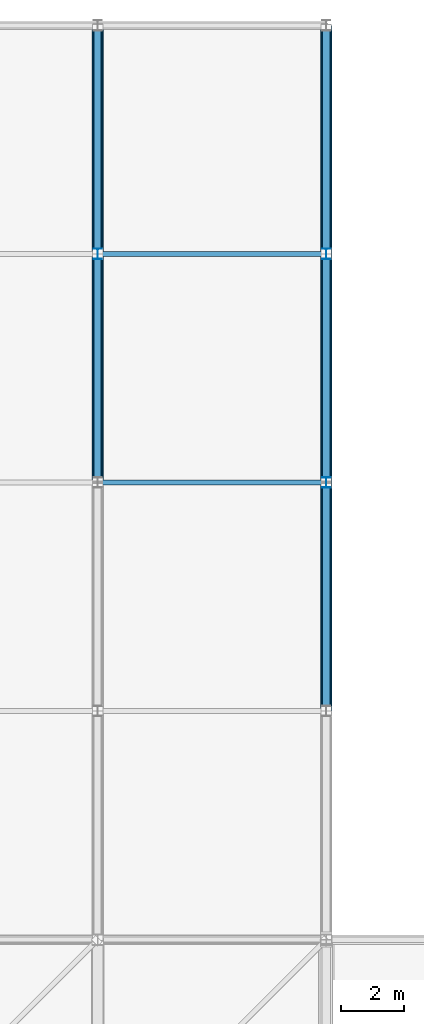
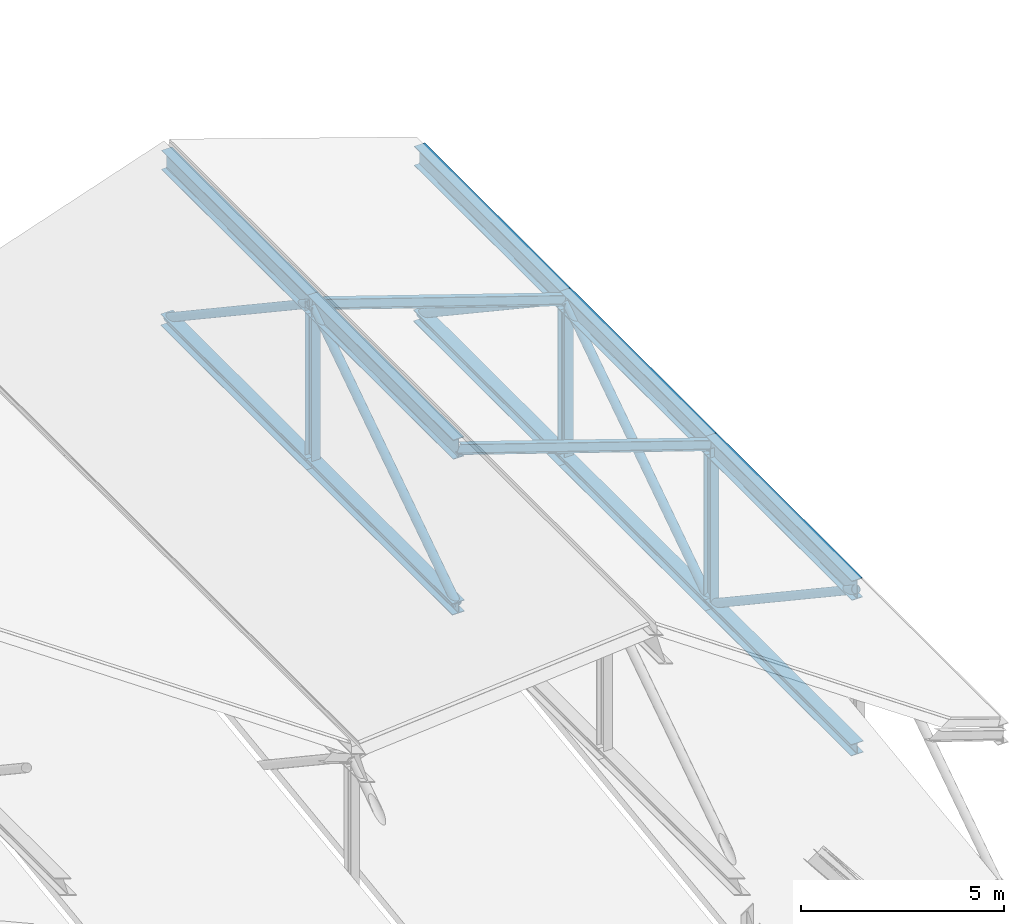
# One storey, part 29 of 60: 20 members.
"""IFC4 building model written with IfcOpenShell, lengths in metres."""

from ifc_helpers import new_model, si_unit, direction, frame, origin, origin_2d, place, context, subcontext, project, spatial, hollow_circle, i_section, extrude, material, material_profile, profile_set, type_object, element, save


model = new_model("IFC4")

# Units and contexts
model_context = context("Model", 3, precision=1e-05, world=origin(), true_north=direction((0.0, 1.0)))
body_context = subcontext(model_context, "Body", "Model", "MODEL_VIEW")
ifc_project = project(units=[si_unit("LENGTHUNIT", "METRE"), si_unit("AREAUNIT", "SQUARE_METRE"), si_unit("VOLUMEUNIT", "CUBIC_METRE"), si_unit("PLANEANGLEUNIT", "RADIAN"), si_unit("MASSUNIT", "GRAM", prefix="KILO")], contexts=[model_context])

# Site, building, storey
site_placement = place(None, origin())
site = spatial("IfcSite", under=ifc_project, at=site_placement, CompositionType="ELEMENT")
building_placement = place(site_placement, origin())
building = spatial("IfcBuilding", under=site, at=building_placement, Name="Vesperath Aquatics Centre", CompositionType="ELEMENT")
storey_placement = place(building_placement, frame((0.0, 0.0, 27.60009765625)))
storey = spatial("IfcBuildingStorey", under=building, at=storey_placement, Name="RF", CompositionType="ELEMENT", Elevation=27.60009765625)

# Members
ifc_material_1 = material(Name="Steel Q355D", Category="steel")
ifc_material_profile_1 = material_profile(ifc_material_1, i_section(OverallWidth=0.35009765625, OverallDepth=0.35009765625, WebThickness=0.011962890625, FlangeThickness=0.01904296875, FilletRadius=0.02001953125, at=origin_2d()), Name="HW 350x350x12x19")
ifc_profile_set_1 = profile_set([ifc_material_profile_1], Name="Steel Q355D")
member_type_1 = type_object("IfcMemberType", Name="MB-BC02", PredefinedType="CHORD", material=ifc_profile_set_1)
for number, where, z_axis, x_axis, name in (
    (1, (50.39990234375, 100.800048828125, -3.60009765625), (0.0, 1.0, 0.0), (-1.0, 0.0, 0.0), "Diving ROOF TRUSS Bottom Chord BC02 G8-3"),
    (2, (50.39990234375, 108.0, -3.60009765625), (0.0, 1.0, 0.0), (-1.0, 0.0, 0.0), "Diving ROOF TRUSS Bottom Chord BC02 G8-4"),
    (3, (57.60009765625, 93.60009765625, -6.0), (0.0, 1.0, 0.0), (-1.0, 0.0, 0.0), "Diving ROOF TRUSS Bottom Chord BC02 G9-2"),
    (4, (57.60009765625, 100.800048828125, -6.0), (0.0, 1.0, 0.0), (-1.0, 0.0, 0.0), "Diving ROOF TRUSS Bottom Chord BC02 G9-3"),
    (5, (57.60009765625, 108.0, -6.0), (0.0, 1.0, 0.0), (-1.0, 0.0, 0.0), "Diving ROOF TRUSS Bottom Chord BC02 G9-4"),
):
    element("IfcMember", number, at=place(storey_placement, frame(where, z_axis=z_axis, x_axis=x_axis)), inside=storey, type_object=member_type_1, Name=name, PredefinedType="CHORD", context=body_context, shape_type="SweptSolid", body=[
        extrude(i_section(OverallWidth=0.35009765625, OverallDepth=0.35009765625, WebThickness=0.011962890625, FlangeThickness=0.01904296875, FilletRadius=0.02001953125, at=origin_2d()), origin(), (0.0, 0.0, 1.0), 7.199951171875),
    ])
ifc_material_2 = material(Name="Steel Q355C", Category="steel")
ifc_material_profile_2 = material_profile(ifc_material_2, i_section(OverallWidth=0.14990234375, OverallDepth=0.300048828125, WebThickness=0.006591796875, FlangeThickness=0.009033203125, FilletRadius=0.012939453125, at=origin_2d()), Name="HN 300x150x6.5x9")
ifc_profile_set_2 = profile_set([ifc_material_profile_2], Name="Steel Q355C")
member_type_2 = type_object("IfcMemberType", Name="MB-PR02", PredefinedType="PURLIN", material=ifc_profile_set_2)
for number, where, z_axis, x_axis, name in (
    (6, (50.39990234375, 100.800048828125, 1.199951171875), (0.948680081264, 0.0, -0.316237416212), (0.0, 1.0, 0.0), "Diving Roof Purlin PR02 8-3"),
    (7, (50.39990234375, 108.0, 1.199951171875), (0.948680081264, 0.0, -0.316237416212), (0.0, 1.0, 0.0), "Diving Roof Purlin PR02 8-4"),
):
    element("IfcMember", number, at=place(storey_placement, frame(where, z_axis=z_axis, x_axis=x_axis)), inside=storey, type_object=member_type_2, Name=name, PredefinedType="PURLIN", context=body_context, shape_type="SweptSolid", body=[
        extrude(i_section(OverallWidth=0.14990234375, OverallDepth=0.300048828125, WebThickness=0.006591796875, FlangeThickness=0.009033203125, FilletRadius=0.012939453125, at=origin_2d()), origin(), (0.0, 0.0, 1.0), 7.589599609375),
    ])
ifc_material_profile_3 = material_profile(ifc_material_1, i_section(OverallWidth=0.300048828125, OverallDepth=0.587890625, WebThickness=0.011962890625, FlangeThickness=0.02001953125, FilletRadius=0.028076171875, at=origin_2d()), Name="HM 588x300x12x20")
ifc_profile_set_3 = profile_set([ifc_material_profile_3], Name="Steel Q355D")
member_type_3 = type_object("IfcMemberType", Name="MB-TC03", PredefinedType="CHORD", material=ifc_profile_set_3)
for number, where, z_axis, x_axis, name in (
    (8, (50.39990234375, 100.800048828125, 1.199951171875), (0.0, 1.0, 0.0), (-1.0, 0.0, 0.0), "Diving ROOF TRUSS Top Chord TC03 G8-3"),
    (9, (50.39990234375, 108.0, 1.199951171875), (0.0, 1.0, 0.0), (-1.0, 0.0, 0.0), "Diving ROOF TRUSS Top Chord TC03 G8-4"),
    (10, (57.60009765625, 93.60009765625, -1.2001953125), (0.0, 1.0, 0.0), (-1.0, 0.0, 0.0), "Diving ROOF TRUSS Top Chord TC03 G9-2"),
    (11, (57.60009765625, 100.800048828125, -1.2001953125), (0.0, 1.0, 0.0), (-1.0, 0.0, 0.0), "Diving ROOF TRUSS Top Chord TC03 G9-3"),
    (12, (57.60009765625, 108.0, -1.2001953125), (0.0, 1.0, 0.0), (-1.0, 0.0, 0.0), "Diving ROOF TRUSS Top Chord TC03 G9-4"),
):
    element("IfcMember", number, at=place(storey_placement, frame(where, z_axis=z_axis, x_axis=x_axis)), inside=storey, type_object=member_type_3, Name=name, PredefinedType="CHORD", context=body_context, shape_type="SweptSolid", body=[
        extrude(i_section(OverallWidth=0.300048828125, OverallDepth=0.587890625, WebThickness=0.011962890625, FlangeThickness=0.02001953125, FilletRadius=0.028076171875, at=origin_2d()), origin(), (0.0, 0.0, 1.0), 7.199951171875),
    ])
ifc_material_profile_4 = material_profile(ifc_material_1, hollow_circle(Radius=0.122314453125, WallThickness=0.011962890625, at=origin_2d()), Name="CHS 244.5x12")
ifc_profile_set_4 = profile_set([ifc_material_profile_4], Name="Steel Q355D")
member_type_4 = type_object("IfcMemberType", Name="MB-TD03", PredefinedType="BRACE", material=ifc_profile_set_4)
for number, where, z_axis, x_axis, name in (
    (13, (50.39990234375, 100.866455078125, -3.5556640625), (0.0, 0.832054716629, 0.554693562731), (-1.0, 0.0, 0.0), "Diving ROOF TRUSS Diagonal TD03 G8-3"),
    (14, (50.39990234375, 108.066650390625, 1.155517578125), (0.0, 0.832054716629, -0.554693562731), (-1.0, 0.0, 0.0), "Diving ROOF TRUSS Diagonal TD03 G8-4"),
    (15, (57.60009765625, 93.66650390625, -1.244384765625), (0.0, 0.832041449737, -0.554713462897), (-1.0, 0.0, 0.0), "Diving ROOF TRUSS Diagonal TD03 G9-2"),
    (16, (57.60009765625, 100.866455078125, -5.955810546875), (0.0, 0.832041449737, 0.554713462897), (-1.0, 0.0, 0.0), "Diving ROOF TRUSS Diagonal TD03 G9-3"),
    (17, (57.60009765625, 108.066650390625, -1.244384765625), (0.0, 0.832041449737, -0.554713462897), (-1.0, 0.0, 0.0), "Diving ROOF TRUSS Diagonal TD03 G9-4"),
):
    element("IfcMember", number, at=place(storey_placement, frame(where, z_axis=z_axis, x_axis=x_axis)), inside=storey, type_object=member_type_4, Name=name, PredefinedType="BRACE", context=body_context, shape_type="SweptSolid", body=[
        extrude(hollow_circle(Radius=0.122314453125, WallThickness=0.011962890625, at=origin_2d()), origin(), (0.0, 0.0, 1.0), 8.493408203125),
    ])
ifc_material_profile_5 = material_profile(ifc_material_1, i_section(OverallWidth=0.25, OverallDepth=0.340087890625, WebThickness=0.009033203125, FlangeThickness=0.013916015625, FilletRadius=0.02001953125, at=origin_2d()), Name="HM 340x250x9x14")
ifc_profile_set_5 = profile_set([ifc_material_profile_5], Name="Steel Q355D")
member_type_5 = type_object("IfcMemberType", Name="MB-TP02", PredefinedType="POST", material=ifc_profile_set_5)
member_placement = place(storey_placement, frame((50.39990234375, 108.0, -3.60009765625), z_axis=(0.0, 0.0, 1.0), x_axis=(1.0, 0.0, 0.0)))
element("IfcMember", 18, at=member_placement, inside=storey, type_object=member_type_5, Name="Diving ROOF TRUSS Post TP02 G8-4", PredefinedType="POST", context=body_context, shape_type="SweptSolid", body=[
    extrude(i_section(OverallWidth=0.25, OverallDepth=0.340087890625, WebThickness=0.009033203125, FlangeThickness=0.013916015625, FilletRadius=0.02001953125, at=origin_2d()), origin(), (0.0, 0.0, 1.0), 4.800048828125),
])
for number, where, z_axis, x_axis, name in (
    (19, (57.60009765625, 100.800048828125, -6.0), (0.0, 0.0, 1.0), (1.0, 0.0, 0.0), "Diving ROOF TRUSS Post TP02 G9-3"),
    (20, (57.60009765625, 108.0, -6.0), (0.0, 0.0, 1.0), (1.0, 0.0, 0.0), "Diving ROOF TRUSS Post TP02 G9-4"),
):
    element("IfcMember", number, at=place(storey_placement, frame(where, z_axis=z_axis, x_axis=x_axis)), inside=storey, type_object=member_type_5, Name=name, PredefinedType="POST", context=body_context, shape_type="SweptSolid", body=[
        extrude(i_section(OverallWidth=0.25, OverallDepth=0.340087890625, WebThickness=0.009033203125, FlangeThickness=0.013916015625, FilletRadius=0.02001953125, at=origin_2d()), origin(), (0.0, 0.0, 1.0), 4.7998046875),
    ])

save(model, "model.ifc")
